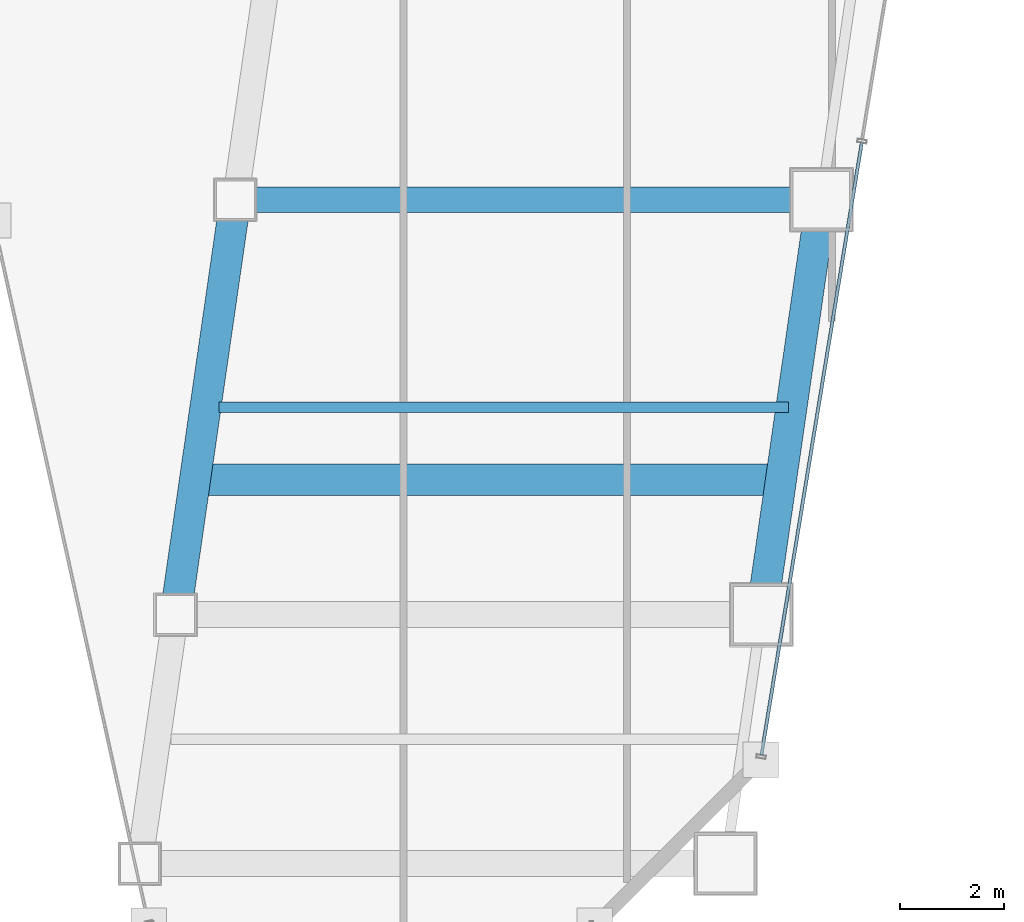
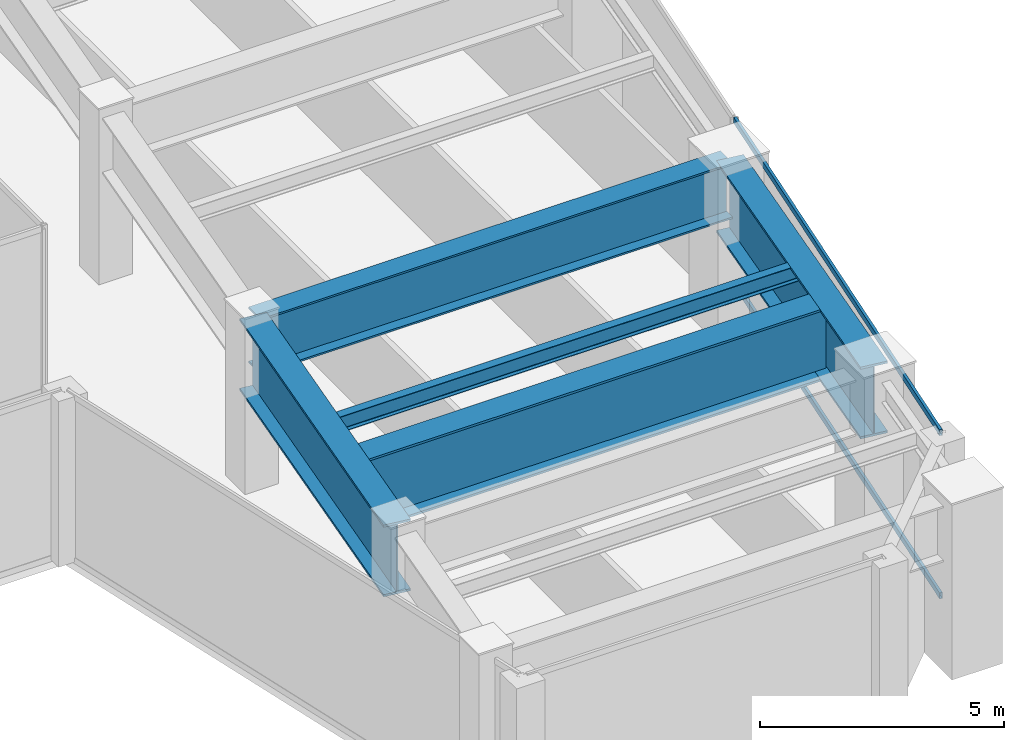
# One storey, part 17 of 40: 5 beams, 2 members, 1 element without a shape of its own.
"""IFC4 building model written with IfcOpenShell, lengths in metres."""

from ifc_helpers import new_model, si_unit, direction, frame, origin, origin_2d, place, context, subcontext, project, spatial, hollow_rectangle, i_section, extrude, material, material_profile, profile_set, type_object, element, aggregate, save


model = new_model("IFC4")

# Units and contexts
model_context = context("Model", 3, precision=1e-05, world=origin(), true_north=direction((0.0, 1.0)))
body_context = subcontext(model_context, "Body", "Model", "MODEL_VIEW")
ifc_project = project(units=[si_unit("LENGTHUNIT", "METRE"), si_unit("AREAUNIT", "SQUARE_METRE"), si_unit("VOLUMEUNIT", "CUBIC_METRE"), si_unit("PLANEANGLEUNIT", "RADIAN"), si_unit("MASSUNIT", "GRAM", prefix="KILO")], contexts=[model_context])

# Site, building, storey
site_placement = place(None, origin())
site = spatial("IfcSite", under=ifc_project, at=site_placement, CompositionType="ELEMENT")
building_placement = place(site_placement, origin())
building = spatial("IfcBuilding", under=site, at=building_placement, Name="Saevonmaru Cultural Tower", CompositionType="ELEMENT")
storey_placement = place(building_placement, frame((0.0, 0.0, 97.199951171875)))
storey = spatial("IfcBuildingStorey", under=building, at=storey_placement, Name="L20", CompositionType="ELEMENT", Elevation=97.199951171875)

# Beams
ifc_material_1 = material(Name="Steel SM355", Category="steel")
ifc_material_profile_1 = material_profile(ifc_material_1, i_section(OverallWidth=0.199951171875, OverallDepth=0.39990234375, WebThickness=0.008056640625, FlangeThickness=0.012939453125, FilletRadius=0.01611328125, at=origin_2d()), Name="H-400x200x8x13")
ifc_profile_set_1 = profile_set([ifc_material_profile_1], Name="Steel SM355")
beam_type_1 = type_object("IfcBeamType", Name="BM-J-H400", PredefinedType="JOIST", material=ifc_profile_set_1)
beam_1_placement = place(storey_placement, frame((37.75244140625, 12.0, 3.949951171875), z_axis=(1.0, 0.0, 0.0), x_axis=(0.0, 1.0, 0.0)))
element("IfcBeam", 1, at=beam_1_placement, inside=storey, type_object=beam_type_1, Name="L20 East Wing Floor Joist 2", PredefinedType="JOIST", context=body_context, shape_type="SweptSolid", body=[
    extrude(i_section(OverallWidth=0.199951171875, OverallDepth=0.39990234375, WebThickness=0.008056640625, FlangeThickness=0.012939453125, FilletRadius=0.01611328125, at=origin_2d()), origin(), (0.0, 0.0, 1.0), 10.982177734375),
])
ifc_material_2 = material(Name="Steel HSA600 (600 MPa)", Category="steel")
ifc_material_profile_2 = material_profile(ifc_material_2, i_section(OverallWidth=0.5, OverallDepth=1.39990234375, WebThickness=0.02392578125, FlangeThickness=0.044921875, at=origin_2d()), Name="PG-1400x500x24x45")
ifc_profile_set_2 = profile_set([ifc_material_profile_2], Name="Steel HSA600 (600 MPa)")
beam_type_2 = type_object("IfcBeamType", Name="BM-TG-PG1400", PredefinedType="BEAM", material=ifc_profile_set_2)
beam_2_placement = place(storey_placement, frame((38.132080078125, 16.0, 3.449951171875), z_axis=(1.0, 0.0, 0.0), x_axis=(0.0, 1.0, 0.0)))
element("IfcBeam", 2, at=beam_2_placement, inside=storey, type_object=beam_type_2, Name="L20 East Wing Transverse Girder 3", PredefinedType="BEAM", context=body_context, shape_type="SweptSolid", body=[
    extrude(i_section(OverallWidth=0.5, OverallDepth=1.39990234375, WebThickness=0.02392578125, FlangeThickness=0.044921875, at=origin_2d()), origin(), (0.0, 0.0, 1.0), 11.179931640625),
])
ifc_material_profile_3 = material_profile(ifc_material_2, i_section(OverallWidth=0.60009765625, OverallDepth=1.800048828125, WebThickness=0.028076171875, FlangeThickness=0.054931640625, at=origin_2d()), Name="PG-1800x600x28x55")
ifc_profile_set_3 = profile_set([ifc_material_profile_3], Name="Steel HSA600 (600 MPa)")
beam_type_3 = type_object("IfcBeamType", Name="BM-TG-PG1800", PredefinedType="BEAM", material=ifc_profile_set_3)
beam_3_placement = place(storey_placement, frame((36.925537109375, 8.059326171875, 3.25), z_axis=(0.142902032203, 0.989736838353, 0.0), x_axis=(-0.989736838353, 0.142902032203, 0.0)))
element("IfcBeam", 3, at=beam_3_placement, inside=storey, type_object=beam_type_3, Name="L20 East Atrium Girder 2", PredefinedType="BEAM", context=body_context, shape_type="SweptSolid", body=[
    extrude(i_section(OverallWidth=0.60009765625, OverallDepth=1.800048828125, WebThickness=0.028076171875, FlangeThickness=0.054931640625, at=origin_2d()), origin(), (0.0, 0.0, 1.0), 7.963134765625),
])
beam_4_placement = place(storey_placement, frame((37.33251953125, 10.60009765625, 3.25), z_axis=(1.0, 0.0, 0.0), x_axis=(0.0, 1.0, 0.0)))
element("IfcBeam", 4, at=beam_4_placement, inside=storey, type_object=beam_type_3, Name="L20 Setback Transfer Plate Girder East", PredefinedType="BEAM", context=body_context, shape_type="SweptSolid", body=[
    extrude(i_section(OverallWidth=0.60009765625, OverallDepth=1.800048828125, WebThickness=0.028076171875, FlangeThickness=0.054931640625, at=origin_2d()), origin(), (0.0, 0.0, 1.0), 11.219970703125),
])
ifc_material_profile_4 = material_profile(ifc_material_2, i_section(OverallWidth=0.60009765625, OverallDepth=1.800048828125, WebThickness=0.028076171875, FlangeThickness=0.054931640625, at=origin_2d()), Name="PG-1800x600x28x55")
ifc_profile_set_4 = profile_set([ifc_material_profile_4], Name="Steel HSA600 (600 MPa)")
beam_type_4 = type_object("IfcBeamType", Name="BM-TG-PG1800-EXT", PredefinedType="SPANDREL", material=ifc_profile_set_4)
beam_5_placement = place(storey_placement, frame((48.2255859375, 8.059326171875, 3.25), z_axis=(0.142871999001, 0.989741174197, 0.0), x_axis=(-0.989741174197, 0.142871999001, 0.0)))
element("IfcBeam", 5, at=beam_5_placement, inside=storey, type_object=beam_type_4, Name="L20 East Splayed Spandrel 2", PredefinedType="SPANDREL", context=body_context, shape_type="SweptSolid", body=[
    extrude(i_section(OverallWidth=0.60009765625, OverallDepth=1.800048828125, WebThickness=0.028076171875, FlangeThickness=0.054931640625, at=origin_2d()), origin(), (0.0, 0.0, 1.0), 7.963134765625),
])

# Curtain wall, members
ifc_material_3 = material(Name="Satin Bronze Anodised Aluminium", Category="aluminium")
curtain_wall_type = type_object("IfcCurtainWallType", Name="CW-TYP-A", PredefinedType="NOTDEFINED", material=ifc_material_3)
curtain_wall_placement = place(storey_placement, origin())
curtain_wall = element("IfcCurtainWall", 6, at=curtain_wall_placement, inside=storey, type_object=curtain_wall_type, Name="L20 Unitised Curtain Wall E8", PredefinedType="NOTDEFINED")
ifc_material_profile_5 = material_profile(ifc_material_3, hollow_rectangle(XDim=0.06494140625, YDim=0.14990234375, WallThickness=0.00390625, at=origin_2d()), Name="ALU-TRAN-150x65x4")
ifc_profile_set_5 = profile_set([ifc_material_profile_5], Name="Satin Bronze Anodised Aluminium")
member_type = type_object("IfcMemberType", Name="TR-CW-150x65", PredefinedType="USERDEFINED", material=ifc_profile_set_5)
member_1_placement = place(storey_placement, frame((48.21484375, 5.291259765625, 0.032470703125), z_axis=(0.161724530373, 0.986835941925, 0.0), x_axis=(-0.986835941925, 0.161724530373, 0.0)))
member_1 = element("IfcMember", 7, at=member_1_placement, type_object=member_type, Name="CW-TW-L20-E8 transom 1.1", ObjectType="TRANSOM", PredefinedType="USERDEFINED", context=body_context, shape_type="SweptSolid", body=[
    extrude(hollow_rectangle(XDim=0.06494140625, YDim=0.14990234375, WallThickness=0.00390625, at=origin_2d()), origin(), (0.0, 0.0, 1.0), 11.963623046875),
])
member_2_placement = place(storey_placement, frame((48.21484375, 5.291259765625, 4.117431640625), z_axis=(0.161724530373, 0.986835941925, 0.0), x_axis=(-0.986835941925, 0.161724530373, 0.0)))
member_2 = element("IfcMember", 8, at=member_2_placement, type_object=member_type, Name="CW-TW-L20-E8 transom 1.2", ObjectType="TRANSOM", PredefinedType="USERDEFINED", context=body_context, shape_type="SweptSolid", body=[
    extrude(hollow_rectangle(XDim=0.06494140625, YDim=0.14990234375, WallThickness=0.00390625, at=origin_2d()), origin(), (0.0, 0.0, 1.0), 11.963623046875),
])
aggregate(curtain_wall, [member_1, member_2])

save(model, "model.ifc")
